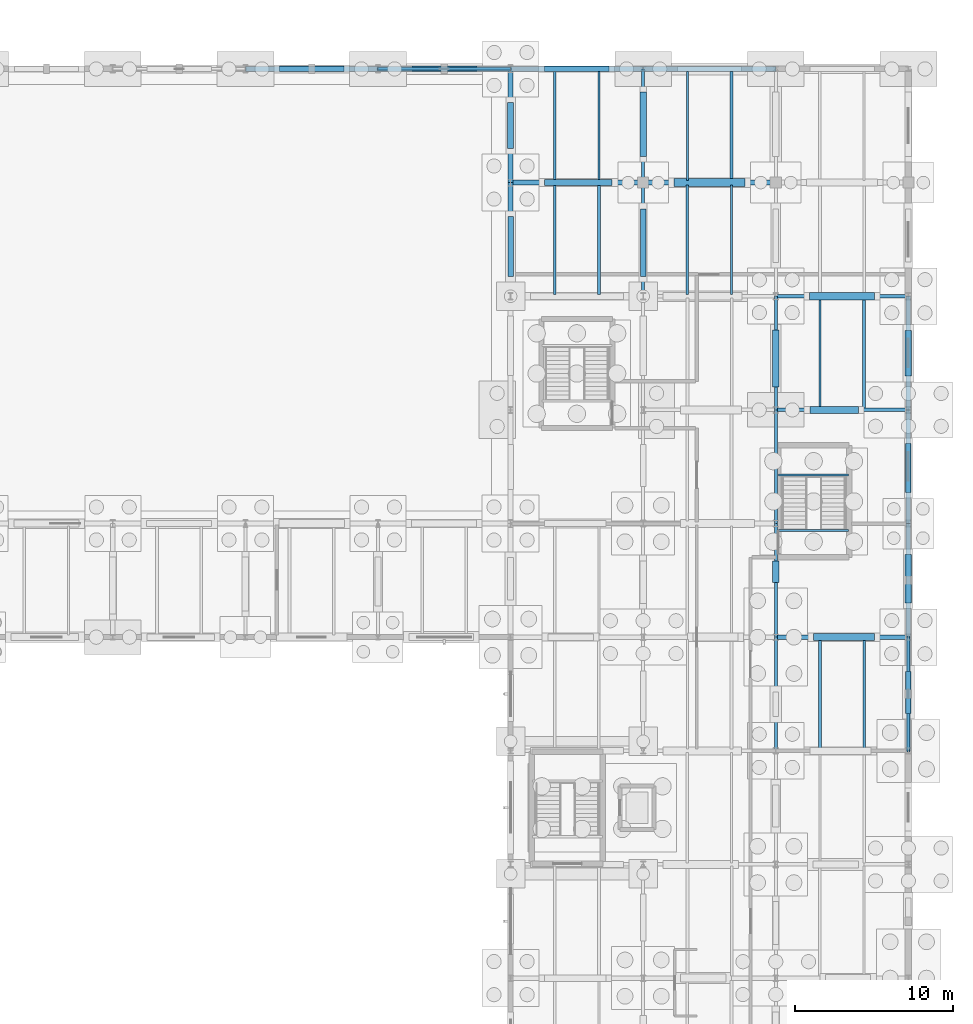
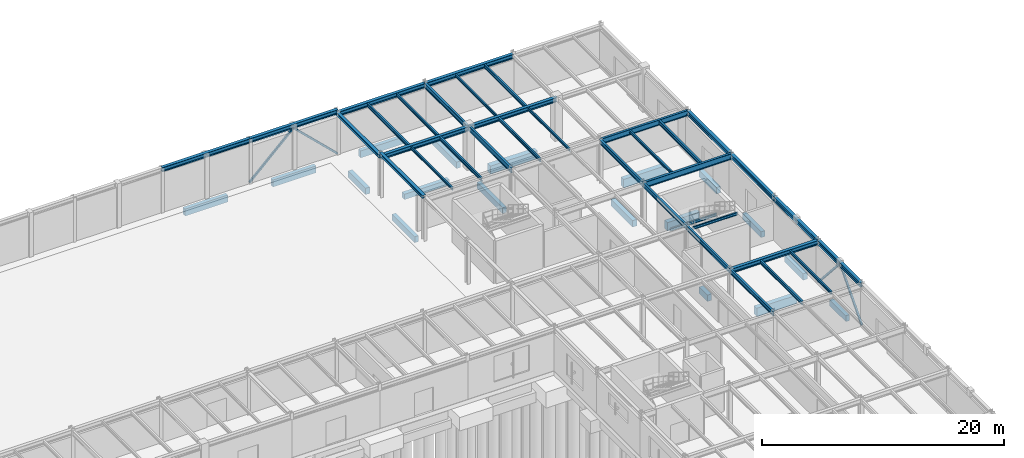
# One storey, part 47 of 93: 53 beams, 4 members.
"""IFC4 building model written with IfcOpenShell, lengths in metres."""

from ifc_helpers import new_model, si_unit, derived_unit, direction, frame, origin, origin_2d, place, context, subcontext, project, spatial, rectangle, hollow_rectangle, i_section, extrude, material, material_profile, profile_set, type_object, element, save


model = new_model("IFC4")

# Units and contexts
model_context = context("Model", 3, precision=1e-05, world=origin(), true_north=direction((0.0, 1.0)))
body_context = subcontext(model_context, "Body", "Model", "MODEL_VIEW")
ifc_project = project(units=[si_unit("LENGTHUNIT", "METRE"), si_unit("AREAUNIT", "SQUARE_METRE"), si_unit("VOLUMEUNIT", "CUBIC_METRE"), si_unit("PLANEANGLEUNIT", "RADIAN"), si_unit("MASSUNIT", "GRAM", prefix="KILO"), derived_unit("THERMALTRANSMITTANCEUNIT", [(si_unit("MASSUNIT", "GRAM", prefix="KILO"), 1), (si_unit("TIMEUNIT", "SECOND"), -3), (si_unit("THERMODYNAMICTEMPERATUREUNIT", "KELVIN"), -1)])], contexts=[model_context])

# Site, building, storey
site_placement = place(None, origin())
site = spatial("IfcSite", under=ifc_project, at=site_placement, CompositionType="ELEMENT")
building_placement = place(site_placement, origin())
building = spatial("IfcBuilding", under=site, at=building_placement, Name="Kharveza Railside Sports Centre", CompositionType="ELEMENT")
storey_placement = place(building_placement, origin())
storey = spatial("IfcBuildingStorey", under=building, at=storey_placement, Name="L00", CompositionType="ELEMENT", Elevation=0.0)

# Beams
ifc_material_1 = material(Name="Steel S355J2", Category="steel")
ifc_material_profile_1 = material_profile(ifc_material_1, i_section(OverallWidth=0.219970703125, OverallDepth=0.60009765625, WebThickness=0.011962890625, FlangeThickness=0.01904296875, FilletRadius=0.02392578125, at=origin_2d()), Name="IPE 600")
ifc_profile_set_1 = profile_set([ifc_material_profile_1], Name="Steel S355J2")
beam_type_1 = type_object("IfcBeamType", Name="BM-G01", PredefinedType="T_BEAM", material=ifc_profile_set_1)
beam_1_placement = place(storey_placement, frame((159.60009765625, 86.39990234375, 4.02001953125), z_axis=(1.0, 0.0, 0.0), x_axis=(0.0, 1.0, 0.0)))
element("IfcBeam", 1, at=beam_1_placement, inside=storey, type_object=beam_type_1, Name="BM-EW-L00-B01-X1596-Y864", PredefinedType="T_BEAM", context=body_context, shape_type="SweptSolid", body=[
    extrude(i_section(OverallWidth=0.219970703125, OverallDepth=0.60009765625, WebThickness=0.011962890625, FlangeThickness=0.01904296875, FilletRadius=0.02392578125, at=origin_2d()), origin(), (0.0, 0.0, 1.0), 8.39990234375),
])
ifc_material_profile_2 = material_profile(ifc_material_1, i_section(OverallWidth=0.2099609375, OverallDepth=0.550048828125, WebThickness=0.010986328125, FlangeThickness=0.01708984375, FilletRadius=0.02392578125, at=origin_2d()), Name="IPE 550")
ifc_profile_set_2 = profile_set([ifc_material_profile_2], Name="Steel S355J2")
beam_type_2 = type_object("IfcBeamType", Name="BM-G02", PredefinedType="T_BEAM", material=ifc_profile_set_2)
beam_2_placement = place(storey_placement, frame((159.60009765625, 93.60009765625, 4.044921875), z_axis=(1.0, 0.0, 0.0), x_axis=(0.0, 1.0, 0.0)))
element("IfcBeam", 2, at=beam_2_placement, inside=storey, type_object=beam_type_2, Name="BM-EW-L00-B02-X1596-Y936", PredefinedType="T_BEAM", context=body_context, shape_type="SweptSolid", body=[
    extrude(i_section(OverallWidth=0.2099609375, OverallDepth=0.550048828125, WebThickness=0.010986328125, FlangeThickness=0.01708984375, FilletRadius=0.02392578125, at=origin_2d()), origin(), (0.0, 0.0, 1.0), 8.39990234375),
])
ifc_material_profile_3 = material_profile(ifc_material_1, i_section(OverallWidth=0.199951171875, OverallDepth=0.5, WebThickness=0.01025390625, FlangeThickness=0.01611328125, FilletRadius=0.02099609375, at=origin_2d()), Name="IPE 500")
ifc_profile_set_3 = profile_set([ifc_material_profile_3], Name="Steel S355J2")
beam_type_3 = type_object("IfcBeamType", Name="BM-G03", PredefinedType="T_BEAM", material=ifc_profile_set_3)
for number, where, z_axis, x_axis, name in (
    (3, (151.199951171875, 93.60009765625, 4.070068359375), (0.0, 1.0, 0.0), (-1.0, 0.0, 0.0), "BM-NS-L00-B03-X1512-Y936"),
    (4, (151.199951171875, 100.800048828125, 3.969970703125), (0.0, 1.0, 0.0), (-1.0, 0.0, 0.0), "BM-NS-L00-B03-X1512-Y1008"),
):
    element("IfcBeam", number, at=place(storey_placement, frame(where, z_axis=z_axis, x_axis=x_axis)), inside=storey, type_object=beam_type_3, Name=name, PredefinedType="T_BEAM", context=body_context, shape_type="SweptSolid", body=[
        extrude(i_section(OverallWidth=0.199951171875, OverallDepth=0.5, WebThickness=0.01025390625, FlangeThickness=0.01611328125, FilletRadius=0.02099609375, at=origin_2d()), origin(), (0.0, 0.0, 1.0), 7.199951171875),
    ])
ifc_material_profile_4 = material_profile(ifc_material_1, i_section(OverallWidth=0.18994140625, OverallDepth=0.449951171875, WebThickness=0.009521484375, FlangeThickness=0.0146484375, FilletRadius=0.02099609375, at=origin_2d()), Name="IPE 450")
ifc_profile_set_4 = profile_set([ifc_material_profile_4], Name="Steel S355J2")
beam_type_4 = type_object("IfcBeamType", Name="BM-G04", PredefinedType="T_BEAM", material=ifc_profile_set_4)
for number, where, z_axis, x_axis, name in (
    (5, (159.60009765625, 64.800048828125, 4.094970703125), (0.0, 1.0, 0.0), (-1.0, 0.0, 0.0), "BM-NS-L00-B04-X1596-Y648"),
    (6, (159.60009765625, 72.0, 4.094970703125), (0.0, 1.0, 0.0), (-1.0, 0.0, 0.0), "BM-NS-L00-B04-X1596-Y720"),
    (7, (159.60009765625, 79.199951171875, 4.094970703125), (0.0, 1.0, 0.0), (-1.0, 0.0, 0.0), "BM-NS-L00-B04-X1596-Y792"),
):
    element("IfcBeam", number, at=place(storey_placement, frame(where, z_axis=z_axis, x_axis=x_axis)), inside=storey, type_object=beam_type_4, Name=name, PredefinedType="T_BEAM", context=body_context, shape_type="SweptSolid", body=[
        extrude(i_section(OverallWidth=0.18994140625, OverallDepth=0.449951171875, WebThickness=0.009521484375, FlangeThickness=0.0146484375, FilletRadius=0.02099609375, at=origin_2d()), origin(), (0.0, 0.0, 1.0), 7.199951171875),
    ])
beam_3_placement = place(storey_placement, frame((159.60009765625, 86.39990234375, 4.094970703125), z_axis=(0.0, 1.0, 0.0), x_axis=(-1.0, 0.0, 0.0)))
element("IfcBeam", 8, at=beam_3_placement, inside=storey, type_object=beam_type_4, Name="BM-NS-L00-B04-X1596-Y864", PredefinedType="T_BEAM", context=body_context, shape_type="SweptSolid", body=[
    extrude(i_section(OverallWidth=0.18994140625, OverallDepth=0.449951171875, WebThickness=0.009521484375, FlangeThickness=0.0146484375, FilletRadius=0.02099609375, at=origin_2d()), origin(), (0.0, 0.0, 1.0), 7.2001953125),
])
ifc_material_profile_5 = material_profile(ifc_material_1, i_section(OverallWidth=0.300048828125, OverallDepth=0.449951171875, WebThickness=0.013916015625, FlangeThickness=0.02587890625, FilletRadius=0.027099609375, at=origin_2d()), Name="HEB 450")
ifc_profile_set_5 = profile_set([ifc_material_profile_5], Name="Steel S355J2")
beam_type_5 = type_object("IfcBeamType", Name="BM-G06", PredefinedType="T_BEAM", material=ifc_profile_set_5)
beam_4_placement = place(storey_placement, frame((142.800048828125, 100.800048828125, 3.9951171875), z_axis=(1.0, 0.0, 0.0), x_axis=(0.0, 1.0, 0.0)))
element("IfcBeam", 9, at=beam_4_placement, inside=storey, type_object=beam_type_5, Name="BM-EW-L00-B06-X1428-Y1008", PredefinedType="T_BEAM", context=body_context, shape_type="SweptSolid", body=[
    extrude(i_section(OverallWidth=0.300048828125, OverallDepth=0.449951171875, WebThickness=0.013916015625, FlangeThickness=0.02587890625, FilletRadius=0.027099609375, at=origin_2d()), origin(), (0.0, 0.0, 1.0), 8.39990234375),
])
beam_5_placement = place(storey_placement, frame((151.199951171875, 100.800048828125, 3.9951171875), z_axis=(1.0, 0.0, 0.0), x_axis=(0.0, 1.0, 0.0)))
element("IfcBeam", 10, at=beam_5_placement, inside=storey, type_object=beam_type_5, Name="BM-EW-L00-B06-X1512-Y1008", PredefinedType="T_BEAM", context=body_context, shape_type="SweptSolid", body=[
    extrude(i_section(OverallWidth=0.300048828125, OverallDepth=0.449951171875, WebThickness=0.013916015625, FlangeThickness=0.02587890625, FilletRadius=0.027099609375, at=origin_2d()), origin(), (0.0, 0.0, 1.0), 8.400146484375),
])
beam_6_placement = place(storey_placement, frame((159.60009765625, 72.0, 4.094970703125), z_axis=(1.0, 0.0, 0.0), x_axis=(0.0, 1.0, 0.0)))
element("IfcBeam", 11, at=beam_6_placement, inside=storey, type_object=beam_type_5, Name="BM-EW-L00-B06-X1596-Y720", PredefinedType="T_BEAM", context=body_context, shape_type="SweptSolid", body=[
    extrude(i_section(OverallWidth=0.300048828125, OverallDepth=0.449951171875, WebThickness=0.013916015625, FlangeThickness=0.02587890625, FilletRadius=0.027099609375, at=origin_2d()), origin(), (0.0, 0.0, 1.0), 8.39990234375),
])
ifc_material_2 = material(Name="Concrete C35/45", Category="concrete")
ifc_material_profile_6 = material_profile(ifc_material_2, rectangle(XDim=0.5, YDim=0.800048828125, at=origin_2d()), Name="RCB 500x800")
ifc_profile_set_6 = profile_set([ifc_material_profile_6], Name="Concrete C35/45")
beam_type_6 = type_object("IfcBeamType", Name="BM-RC01", PredefinedType="T_BEAM", material=ifc_profile_set_6)
beam_7_placement = place(storey_placement, frame((153.159912109375, 100.800048828125, -0.820068359375), z_axis=(1.0, 0.0, 0.0), x_axis=(0.0, 1.0, 0.0)))
element("IfcBeam", 12, at=beam_7_placement, inside=storey, type_object=beam_type_6, Name="BM-PLINTH-EW-B25-X1512-Y1008-1", PredefinedType="T_BEAM", context=body_context, shape_type="SweptSolid", body=[
    extrude(rectangle(XDim=0.5, YDim=0.800048828125, at=origin_2d()), origin(), (0.0, 0.0, 1.0), 4.47998046875),
])
ifc_material_profile_7 = material_profile(ifc_material_2, rectangle(XDim=0.39990234375, YDim=0.64990234375, at=origin_2d()), Name="RCB 400x650")
ifc_profile_set_7 = profile_set([ifc_material_profile_7], Name="Concrete C35/45")
beam_type_7 = type_object("IfcBeamType", Name="BM-RC02", PredefinedType="BEAM", material=ifc_profile_set_7)
beam_8_placement = place(storey_placement, frame((142.800048828125, 102.9599609375, -0.7451171875), z_axis=(0.0, 1.0, 0.0), x_axis=(-1.0, 0.0, 0.0)))
element("IfcBeam", 13, at=beam_8_placement, inside=storey, type_object=beam_type_7, Name="BM-PLINTH-NS-B26-X1428-Y1008-1", PredefinedType="BEAM", context=body_context, shape_type="SweptSolid", body=[
    extrude(rectangle(XDim=0.39990234375, YDim=0.64990234375, at=origin_2d()), origin(), (0.0, 0.0, 1.0), 2.905029296875),
])
beam_9_placement = place(storey_placement, frame((151.199951171875, 102.4599609375, -0.7451171875), z_axis=(0.0, 1.0, 0.0), x_axis=(-1.0, 0.0, 0.0)))
element("IfcBeam", 14, at=beam_9_placement, inside=storey, type_object=beam_type_7, Name="BM-PLINTH-NS-B26-X1512-Y1008-1", PredefinedType="BEAM", context=body_context, shape_type="SweptSolid", body=[
    extrude(rectangle(XDim=0.39990234375, YDim=0.64990234375, at=origin_2d()), origin(), (0.0, 0.0, 1.0), 4.080078125),
])
beam_10_placement = place(storey_placement, frame((159.60009765625, 75.4599609375, -0.7451171875), z_axis=(0.0, 1.0, 0.0), x_axis=(-1.0, 0.0, 0.0)))
element("IfcBeam", 15, at=beam_10_placement, inside=storey, type_object=beam_type_7, Name="BM-PLINTH-NS-B26-X1596-Y720-1", PredefinedType="BEAM", context=body_context, shape_type="SweptSolid", body=[
    extrude(rectangle(XDim=0.39990234375, YDim=0.64990234375, at=origin_2d()), origin(), (0.0, 0.0, 1.0), 1.380126953125),
])
beam_11_placement = place(storey_placement, frame((159.60009765625, 87.860107421875, -0.7451171875), z_axis=(0.0, 1.0, 0.0), x_axis=(-1.0, 0.0, 0.0)))
element("IfcBeam", 16, at=beam_11_placement, inside=storey, type_object=beam_type_7, Name="BM-PLINTH-NS-B26-X1596-Y864-1", PredefinedType="BEAM", context=body_context, shape_type="SweptSolid", body=[
    extrude(rectangle(XDim=0.39990234375, YDim=0.64990234375, at=origin_2d()), origin(), (0.0, 0.0, 1.0), 3.60498046875),
])
beam_12_placement = place(storey_placement, frame((168.0, 74.159912109375, -0.7451171875), z_axis=(0.0, 1.0, 0.0), x_axis=(-1.0, 0.0, 0.0)))
element("IfcBeam", 17, at=beam_12_placement, inside=storey, type_object=beam_type_7, Name="BM-PLINTH-NS-B26-X1680-Y720-1", PredefinedType="BEAM", context=body_context, shape_type="SweptSolid", body=[
    extrude(rectangle(XDim=0.39990234375, YDim=0.64990234375, at=origin_2d()), origin(), (0.0, 0.0, 1.0), 3.080078125),
])
beam_13_placement = place(storey_placement, frame((168.0, 88.534912109375, -0.7451171875), z_axis=(0.0, 1.0, 0.0), x_axis=(-1.0, 0.0, 0.0)))
element("IfcBeam", 18, at=beam_13_placement, inside=storey, type_object=beam_type_7, Name="BM-PLINTH-NS-B26-X1680-Y864-1", PredefinedType="BEAM", context=body_context, shape_type="SweptSolid", body=[
    extrude(rectangle(XDim=0.39990234375, YDim=0.64990234375, at=origin_2d()), origin(), (0.0, 0.0, 1.0), 2.905029296875),
])
ifc_material_profile_8 = material_profile(ifc_material_2, rectangle(XDim=0.35009765625, YDim=0.699951171875, at=origin_2d()), Name="RCB 350x700")
ifc_profile_set_8 = profile_set([ifc_material_profile_8], Name="Concrete C35/45")
beam_type_8 = type_object("IfcBeamType", Name="BM-RC03", PredefinedType="SPANDREL", material=ifc_profile_set_8)
beam_14_placement = place(storey_placement, frame((128.159912109375, 108.0, -0.77001953125), z_axis=(1.0, 0.0, 0.0), x_axis=(0.0, 1.0, 0.0)))
element("IfcBeam", 19, at=beam_14_placement, inside=storey, type_object=beam_type_8, Name="BM-PLINTH-EW-B27-X1260-Y1080-1", PredefinedType="SPANDREL", context=body_context, shape_type="SweptSolid", body=[
    extrude(rectangle(XDim=0.35009765625, YDim=0.699951171875, at=origin_2d()), origin(), (0.0, 0.0, 1.0), 4.080078125),
])
for number, where, z_axis, x_axis, name in (
    (20, (136.56005859375, 108.0, -0.77001953125), (1.0, 0.0, 0.0), (0.0, 1.0, 0.0), "BM-PLINTH-EW-B27-X1344-Y1080-1"),
    (21, (144.93505859375, 108.0, -0.77001953125), (1.0, 0.0, 0.0), (0.0, 1.0, 0.0), "BM-PLINTH-EW-B27-X1428-Y1080-1"),
):
    element("IfcBeam", number, at=place(storey_placement, frame(where, z_axis=z_axis, x_axis=x_axis)), inside=storey, type_object=beam_type_8, Name=name, PredefinedType="SPANDREL", context=body_context, shape_type="SweptSolid", body=[
        extrude(rectangle(XDim=0.35009765625, YDim=0.699951171875, at=origin_2d()), origin(), (0.0, 0.0, 1.0), 4.10498046875),
    ])
ifc_material_profile_9 = material_profile(ifc_material_2, rectangle(XDim=0.449951171875, YDim=0.85009765625, at=origin_2d()), Name="RCB 450x850")
ifc_profile_set_9 = profile_set([ifc_material_profile_9], Name="Concrete C35/45")
beam_type_9 = type_object("IfcBeamType", Name="BM-RC05", PredefinedType="T_BEAM", material=ifc_profile_set_9)
beam_15_placement = place(storey_placement, frame((161.985107421875, 72.0, -0.844970703125), z_axis=(1.0, 0.0, 0.0), x_axis=(0.0, 1.0, 0.0)))
element("IfcBeam", 22, at=beam_15_placement, inside=storey, type_object=beam_type_9, Name="BM-PLINTH-EW-B29-X1596-Y720-1", PredefinedType="T_BEAM", context=body_context, shape_type="SweptSolid", body=[
    extrude(rectangle(XDim=0.449951171875, YDim=0.85009765625, at=origin_2d()), origin(), (0.0, 0.0, 1.0), 3.85498046875),
])
beam_16_placement = place(storey_placement, frame((161.760009765625, 86.39990234375, -0.844970703125), z_axis=(1.0, 0.0, 0.0), x_axis=(0.0, 1.0, 0.0)))
element("IfcBeam", 23, at=beam_16_placement, inside=storey, type_object=beam_type_9, Name="BM-PLINTH-EW-B29-X1596-Y864-1", PredefinedType="T_BEAM", context=body_context, shape_type="SweptSolid", body=[
    extrude(rectangle(XDim=0.449951171875, YDim=0.85009765625, at=origin_2d()), origin(), (0.0, 0.0, 1.0), 3.080078125),
])
beam_17_placement = place(storey_placement, frame((161.735107421875, 93.60009765625, -0.844970703125), z_axis=(1.0, 0.0, 0.0), x_axis=(0.0, 1.0, 0.0)))
element("IfcBeam", 24, at=beam_17_placement, inside=storey, type_object=beam_type_9, Name="BM-PLINTH-EW-B29-X1596-Y936-1", PredefinedType="T_BEAM", context=body_context, shape_type="SweptSolid", body=[
    extrude(rectangle(XDim=0.449951171875, YDim=0.85009765625, at=origin_2d()), origin(), (0.0, 0.0, 1.0), 4.10498046875),
])
ifc_material_profile_10 = material_profile(ifc_material_2, rectangle(XDim=0.35009765625, YDim=0.60009765625, at=origin_2d()), Name="RCB 350x600")
ifc_profile_set_10 = profile_set([ifc_material_profile_10], Name="Concrete C35/45")
beam_type_10 = type_object("IfcBeamType", Name="BM-RC06", PredefinedType="BEAM", material=ifc_profile_set_10)
beam_18_placement = place(storey_placement, frame((142.800048828125, 94.860107421875, -0.719970703125), z_axis=(0.0, 1.0, 0.0), x_axis=(-1.0, 0.0, 0.0)))
element("IfcBeam", 25, at=beam_18_placement, inside=storey, type_object=beam_type_10, Name="BM-PLINTH-NS-B30-X1428-Y936-1", PredefinedType="BEAM", context=body_context, shape_type="SweptSolid", body=[
    extrude(rectangle(XDim=0.35009765625, YDim=0.60009765625, at=origin_2d()), origin(), (0.0, 0.0, 1.0), 3.77978515625),
])
beam_19_placement = place(storey_placement, frame((151.199951171875, 94.860107421875, -0.719970703125), z_axis=(0.0, 1.0, 0.0), x_axis=(-1.0, 0.0, 0.0)))
element("IfcBeam", 26, at=beam_19_placement, inside=storey, type_object=beam_type_10, Name="BM-PLINTH-NS-B30-X1512-Y936-1", PredefinedType="BEAM", context=body_context, shape_type="SweptSolid", body=[
    extrude(rectangle(XDim=0.35009765625, YDim=0.60009765625, at=origin_2d()), origin(), (0.0, 0.0, 1.0), 4.27978515625),
])
beam_20_placement = place(storey_placement, frame((168.0, 67.159912109375, -0.719970703125), z_axis=(0.0, 1.0, 0.0), x_axis=(-1.0, 0.0, 0.0)))
element("IfcBeam", 27, at=beam_20_placement, inside=storey, type_object=beam_type_10, Name="BM-PLINTH-NS-B30-X1680-Y648-1", PredefinedType="BEAM", context=body_context, shape_type="SweptSolid", body=[
    extrude(rectangle(XDim=0.35009765625, YDim=0.60009765625, at=origin_2d()), origin(), (0.0, 0.0, 1.0), 2.68017578125),
])
beam_21_placement = place(storey_placement, frame((168.0, 81.159912109375, -0.719970703125), z_axis=(0.0, 1.0, 0.0), x_axis=(-1.0, 0.0, 0.0)))
element("IfcBeam", 28, at=beam_21_placement, inside=storey, type_object=beam_type_10, Name="BM-PLINTH-NS-B30-X1680-Y792-1", PredefinedType="BEAM", context=body_context, shape_type="SweptSolid", body=[
    extrude(rectangle(XDim=0.35009765625, YDim=0.60009765625, at=origin_2d()), origin(), (0.0, 0.0, 1.0), 3.10498046875),
])
ifc_material_profile_11 = material_profile(ifc_material_2, rectangle(XDim=0.39990234375, YDim=0.550048828125, at=origin_2d()), Name="RCB 400x550")
ifc_profile_set_11 = profile_set([ifc_material_profile_11], Name="Concrete C35/45")
beam_type_11 = type_object("IfcBeamType", Name="BM-RC07", PredefinedType="LINTEL", material=ifc_profile_set_11)
beam_22_placement = place(storey_placement, frame((144.9599609375, 100.800048828125, -0.695068359375), z_axis=(1.0, 0.0, 0.0), x_axis=(0.0, 1.0, 0.0)))
element("IfcBeam", 29, at=beam_22_placement, inside=storey, type_object=beam_type_11, Name="BM-PLINTH-EW-B31-X1428-Y1008-1", PredefinedType="LINTEL", context=body_context, shape_type="SweptSolid", body=[
    extrude(rectangle(XDim=0.39990234375, YDim=0.550048828125, at=origin_2d()), origin(), (0.0, 0.0, 1.0), 4.280029296875),
])
ifc_material_profile_12 = material_profile(ifc_material_1, i_section(OverallWidth=0.179931640625, OverallDepth=0.39990234375, WebThickness=0.008544921875, FlangeThickness=0.013427734375, FilletRadius=0.02099609375, at=origin_2d()), Name="IPE 400")
ifc_profile_set_12 = profile_set([ifc_material_profile_12], Name="Steel S355J2")
beam_type_12 = type_object("IfcBeamType", Name="BM-S01", PredefinedType="BEAM", material=ifc_profile_set_12)
beam_23_placement = place(storey_placement, frame((165.199951171875, 86.507080078125, 4.1201171875), z_axis=(0.0, 1.0, 0.0), x_axis=(-1.0, 0.0, 0.0)))
element("IfcBeam", 30, at=beam_23_placement, inside=storey, type_object=beam_type_12, Name="BM-SEC-L00-B09-X1652-Y864", PredefinedType="BEAM", context=body_context, shape_type="SweptSolid", body=[
    extrude(i_section(OverallWidth=0.179931640625, OverallDepth=0.39990234375, WebThickness=0.008544921875, FlangeThickness=0.013427734375, FilletRadius=0.02099609375, at=origin_2d()), origin(), (0.0, 0.0, 1.0), 6.990966796875),
])
ifc_material_profile_13 = material_profile(ifc_material_1, i_section(OverallWidth=0.169921875, OverallDepth=0.360107421875, WebThickness=0.008056640625, FlangeThickness=0.0126953125, FilletRadius=0.01806640625, at=origin_2d()), Name="IPE 360")
ifc_profile_set_13 = profile_set([ifc_material_profile_13], Name="Steel S355J2")
beam_type_13 = type_object("IfcBeamType", Name="BM-S02", PredefinedType="BEAM", material=ifc_profile_set_13)
beam_24_placement = place(storey_placement, frame((148.39990234375, 93.701904296875, 4.0400390625), z_axis=(0.0, 1.0, 0.0), x_axis=(-1.0, 0.0, 0.0)))
element("IfcBeam", 31, at=beam_24_placement, inside=storey, type_object=beam_type_13, Name="BM-SEC-L00-B10-X1484-Y936", PredefinedType="BEAM", context=body_context, shape_type="SweptSolid", body=[
    extrude(i_section(OverallWidth=0.169921875, OverallDepth=0.360107421875, WebThickness=0.008056640625, FlangeThickness=0.0126953125, FilletRadius=0.01806640625, at=origin_2d()), origin(), (0.0, 0.0, 1.0), 6.951171875),
])
for number, where, z_axis, x_axis, name in (
    (32, (145.60009765625, 100.947021484375, 4.0400390625), (0.0, 1.0, 0.0), (-1.0, 0.0, 0.0), "BM-SEC-L00-B10-X1456-Y1008"),
    (33, (156.800048828125, 100.947021484375, 4.0400390625), (0.0, 1.0, 0.0), (-1.0, 0.0, 0.0), "BM-SEC-L00-B10-X1568-Y1008"),
):
    element("IfcBeam", number, at=place(storey_placement, frame(where, z_axis=z_axis, x_axis=x_axis)), inside=storey, type_object=beam_type_13, Name=name, PredefinedType="BEAM", context=body_context, shape_type="SweptSolid", body=[
        extrude(i_section(OverallWidth=0.169921875, OverallDepth=0.360107421875, WebThickness=0.008056640625, FlangeThickness=0.0126953125, FilletRadius=0.01806640625, at=origin_2d()), origin(), (0.0, 0.0, 1.0), 6.906005859375),
    ])
beam_25_placement = place(storey_placement, frame((162.39990234375, 64.902099609375, 4.139892578125), z_axis=(0.0, 1.0, 0.0), x_axis=(-1.0, 0.0, 0.0)))
element("IfcBeam", 34, at=beam_25_placement, inside=storey, type_object=beam_type_13, Name="BM-SEC-L00-B10-X1624-Y648", PredefinedType="BEAM", context=body_context, shape_type="SweptSolid", body=[
    extrude(i_section(OverallWidth=0.169921875, OverallDepth=0.360107421875, WebThickness=0.008056640625, FlangeThickness=0.0126953125, FilletRadius=0.01806640625, at=origin_2d()), origin(), (0.0, 0.0, 1.0), 6.950927734375),
])
ifc_material_profile_14 = material_profile(ifc_material_1, i_section(OverallWidth=0.159912109375, OverallDepth=0.330078125, WebThickness=0.007568359375, FlangeThickness=0.011474609375, FilletRadius=0.01806640625, at=origin_2d()), Name="IPE 330")
ifc_profile_set_14 = profile_set([ifc_material_profile_14], Name="Steel S355J2")
beam_type_14 = type_object("IfcBeamType", Name="BM-S03", PredefinedType="BEAM", material=ifc_profile_set_14)
beam_26_placement = place(storey_placement, frame((154.0, 93.701904296875, 4.054931640625), z_axis=(0.0, 1.0, 0.0), x_axis=(-1.0, 0.0, 0.0)))
element("IfcBeam", 35, at=beam_26_placement, inside=storey, type_object=beam_type_14, Name="BM-SEC-L00-B11-X1540-Y936", PredefinedType="BEAM", context=body_context, shape_type="SweptSolid", body=[
    extrude(i_section(OverallWidth=0.159912109375, OverallDepth=0.330078125, WebThickness=0.007568359375, FlangeThickness=0.011474609375, FilletRadius=0.01806640625, at=origin_2d()), origin(), (0.0, 0.0, 1.0), 6.951171875),
])
ifc_material_profile_15 = material_profile(ifc_material_1, i_section(OverallWidth=0.14990234375, OverallDepth=0.300048828125, WebThickness=0.007080078125, FlangeThickness=0.0107421875, FilletRadius=0.014892578125, at=origin_2d()), Name="IPE 300")
ifc_profile_set_15 = profile_set([ifc_material_profile_15], Name="Steel S355J2")
beam_type_15 = type_object("IfcBeamType", Name="BM-S04", PredefinedType="BEAM", material=ifc_profile_set_15)
beam_27_placement = place(storey_placement, frame((148.39990234375, 100.947021484375, 4.070068359375), z_axis=(0.0, 1.0, 0.0), x_axis=(-1.0, 0.0, 0.0)))
element("IfcBeam", 36, at=beam_27_placement, inside=storey, type_object=beam_type_15, Name="BM-SEC-L00-B12-X1484-Y1008", PredefinedType="BEAM", context=body_context, shape_type="SweptSolid", body=[
    extrude(i_section(OverallWidth=0.14990234375, OverallDepth=0.300048828125, WebThickness=0.007080078125, FlangeThickness=0.0107421875, FilletRadius=0.014892578125, at=origin_2d()), origin(), (0.0, 0.0, 1.0), 6.906005859375),
])
beam_28_placement = place(storey_placement, frame((165.199951171875, 64.902099609375, 4.169921875), z_axis=(0.0, 1.0, 0.0), x_axis=(-1.0, 0.0, 0.0)))
element("IfcBeam", 37, at=beam_28_placement, inside=storey, type_object=beam_type_15, Name="BM-SEC-L00-B12-X1652-Y648", PredefinedType="BEAM", context=body_context, shape_type="SweptSolid", body=[
    extrude(i_section(OverallWidth=0.14990234375, OverallDepth=0.300048828125, WebThickness=0.007080078125, FlangeThickness=0.0107421875, FilletRadius=0.014892578125, at=origin_2d()), origin(), (0.0, 0.0, 1.0), 6.950927734375),
])
beam_29_placement = place(storey_placement, frame((162.39990234375, 86.507080078125, 4.169921875), z_axis=(0.0, 1.0, 0.0), x_axis=(-1.0, 0.0, 0.0)))
element("IfcBeam", 38, at=beam_29_placement, inside=storey, type_object=beam_type_15, Name="BM-SEC-L00-B12-X1624-Y864", PredefinedType="BEAM", context=body_context, shape_type="SweptSolid", body=[
    extrude(i_section(OverallWidth=0.14990234375, OverallDepth=0.300048828125, WebThickness=0.007080078125, FlangeThickness=0.0107421875, FilletRadius=0.014892578125, at=origin_2d()), origin(), (0.0, 0.0, 1.0), 6.990966796875),
])
ifc_material_profile_16 = material_profile(ifc_material_1, i_section(OverallWidth=0.135009765625, OverallDepth=0.27001953125, WebThickness=0.006591796875, FlangeThickness=0.01025390625, FilletRadius=0.014892578125, at=origin_2d()), Name="IPE 270")
ifc_profile_set_16 = profile_set([ifc_material_profile_16], Name="Steel S355J2")
beam_type_16 = type_object("IfcBeamType", Name="BM-S05", PredefinedType="BEAM", material=ifc_profile_set_16)
for number, where, z_axis, x_axis, name in (
    (39, (145.60009765625, 93.701904296875, 4.0849609375), (0.0, 1.0, 0.0), (-1.0, 0.0, 0.0), "BM-SEC-L00-B13-X1456-Y936"),
    (40, (156.800048828125, 93.701904296875, 4.0849609375), (0.0, 1.0, 0.0), (-1.0, 0.0, 0.0), "BM-SEC-L00-B13-X1568-Y936"),
):
    element("IfcBeam", number, at=place(storey_placement, frame(where, z_axis=z_axis, x_axis=x_axis)), inside=storey, type_object=beam_type_16, Name=name, PredefinedType="BEAM", context=body_context, shape_type="SweptSolid", body=[
        extrude(i_section(OverallWidth=0.135009765625, OverallDepth=0.27001953125, WebThickness=0.006591796875, FlangeThickness=0.01025390625, FilletRadius=0.014892578125, at=origin_2d()), origin(), (0.0, 0.0, 1.0), 6.951171875),
    ])
beam_30_placement = place(storey_placement, frame((154.0, 100.947021484375, 4.0849609375), z_axis=(0.0, 1.0, 0.0), x_axis=(-1.0, 0.0, 0.0)))
element("IfcBeam", 41, at=beam_30_placement, inside=storey, type_object=beam_type_16, Name="BM-SEC-L00-B13-X1540-Y1008", PredefinedType="BEAM", context=body_context, shape_type="SweptSolid", body=[
    extrude(i_section(OverallWidth=0.135009765625, OverallDepth=0.27001953125, WebThickness=0.006591796875, FlangeThickness=0.01025390625, FilletRadius=0.014892578125, at=origin_2d()), origin(), (0.0, 0.0, 1.0), 6.906005859375),
])
for number, where, z_axis, x_axis, name in (
    (42, (159.780029296875, 82.280029296875, 1.929931640625), (1.0, 0.0, 0.0), (0.0, 1.0, 0.0), "BM-HLND-ST4-L00"),
    (43, (159.780029296875, 78.760009765625, 4.179931640625), (1.0, 0.0, 0.0), (0.0, 1.0, 0.0), "BM-STLND-ST4-L01"),
):
    element("IfcBeam", number, at=place(storey_placement, frame(where, z_axis=z_axis, x_axis=x_axis)), inside=storey, type_object=beam_type_16, Name=name, PredefinedType="BEAM", context=body_context, shape_type="SweptSolid", body=[
        extrude(i_section(OverallWidth=0.135009765625, OverallDepth=0.27001953125, WebThickness=0.006591796875, FlangeThickness=0.01025390625, FilletRadius=0.014892578125, at=origin_2d()), origin(), (0.0, 0.0, 1.0), 4.43994140625),
    ])
ifc_material_profile_17 = material_profile(ifc_material_1, i_section(OverallWidth=0.300048828125, OverallDepth=0.31005859375, WebThickness=0.009033203125, FlangeThickness=0.015380859375, FilletRadius=0.027099609375, at=origin_2d()), Name="HEA 320")
ifc_profile_set_17 = profile_set([ifc_material_profile_17], Name="Steel S355J2")
beam_type_17 = type_object("IfcBeamType", Name="BM-S06", PredefinedType="BEAM", material=ifc_profile_set_17)
for number, where, z_axis, x_axis, name in (
    (44, (142.800048828125, 93.60009765625, 4.344970703125), (0.0, 1.0, 0.0), (-1.0, 0.0, 0.0), "BM-NS-L00-B14-X1428-Y936"),
    (45, (142.800048828125, 100.800048828125, 4.06494140625), (0.0, 1.0, 0.0), (-1.0, 0.0, 0.0), "BM-NS-L00-B14-X1428-Y1008"),
):
    element("IfcBeam", number, at=place(storey_placement, frame(where, z_axis=z_axis, x_axis=x_axis)), inside=storey, type_object=beam_type_17, Name=name, PredefinedType="BEAM", context=body_context, shape_type="SweptSolid", body=[
        extrude(i_section(OverallWidth=0.300048828125, OverallDepth=0.31005859375, WebThickness=0.009033203125, FlangeThickness=0.015380859375, FilletRadius=0.027099609375, at=origin_2d()), origin(), (0.0, 0.0, 1.0), 7.199951171875),
    ])
ifc_material_profile_18 = material_profile(ifc_material_1, i_section(OverallWidth=0.300048828125, OverallDepth=0.43994140625, WebThickness=0.011474609375, FlangeThickness=0.02099609375, FilletRadius=0.027099609375, at=origin_2d()), Name="HEA 450")
ifc_profile_set_18 = profile_set([ifc_material_profile_18], Name="Steel S355J2")
beam_type_18 = type_object("IfcBeamType", Name="BM-SP01", PredefinedType="SPANDREL", material=ifc_profile_set_18)
beam_31_placement = place(storey_placement, frame((126.0, 108.0, 4.280029296875), z_axis=(1.0, 0.0, 0.0), x_axis=(0.0, 1.0, 0.0)))
element("IfcBeam", 46, at=beam_31_placement, inside=storey, type_object=beam_type_18, Name="BM-EW-L00-B15-X1260-Y1080", PredefinedType="SPANDREL", context=body_context, shape_type="SweptSolid", body=[
    extrude(i_section(OverallWidth=0.300048828125, OverallDepth=0.43994140625, WebThickness=0.011474609375, FlangeThickness=0.02099609375, FilletRadius=0.027099609375, at=origin_2d()), origin(), (0.0, 0.0, 1.0), 8.39990234375),
])
beam_32_placement = place(storey_placement, frame((134.39990234375, 108.0, 4.280029296875), z_axis=(1.0, 0.0, 0.0), x_axis=(0.0, 1.0, 0.0)))
element("IfcBeam", 47, at=beam_32_placement, inside=storey, type_object=beam_type_18, Name="BM-EW-L00-B15-X1344-Y1080", PredefinedType="SPANDREL", context=body_context, shape_type="SweptSolid", body=[
    extrude(i_section(OverallWidth=0.300048828125, OverallDepth=0.43994140625, WebThickness=0.011474609375, FlangeThickness=0.02099609375, FilletRadius=0.027099609375, at=origin_2d()), origin(), (0.0, 0.0, 1.0), 8.400146484375),
])
beam_33_placement = place(storey_placement, frame((142.800048828125, 108.0, 4.0), z_axis=(1.0, 0.0, 0.0), x_axis=(0.0, 1.0, 0.0)))
element("IfcBeam", 48, at=beam_33_placement, inside=storey, type_object=beam_type_18, Name="BM-EW-L00-B15-X1428-Y1080", PredefinedType="SPANDREL", context=body_context, shape_type="SweptSolid", body=[
    extrude(i_section(OverallWidth=0.300048828125, OverallDepth=0.43994140625, WebThickness=0.011474609375, FlangeThickness=0.02099609375, FilletRadius=0.027099609375, at=origin_2d()), origin(), (0.0, 0.0, 1.0), 8.39990234375),
])
beam_34_placement = place(storey_placement, frame((151.199951171875, 108.0, 4.0), z_axis=(1.0, 0.0, 0.0), x_axis=(0.0, 1.0, 0.0)))
element("IfcBeam", 49, at=beam_34_placement, inside=storey, type_object=beam_type_18, Name="BM-EW-L00-B15-X1512-Y1080", PredefinedType="SPANDREL", context=body_context, shape_type="SweptSolid", body=[
    extrude(i_section(OverallWidth=0.300048828125, OverallDepth=0.43994140625, WebThickness=0.011474609375, FlangeThickness=0.02099609375, FilletRadius=0.027099609375, at=origin_2d()), origin(), (0.0, 0.0, 1.0), 8.400146484375),
])
for number, where, z_axis, x_axis, name in (
    (50, (168.0, 64.800048828125, 4.10009765625), (0.0, 1.0, 0.0), (-1.0, 0.0, 0.0), "BM-NS-L00-B15-X1680-Y648"),
    (51, (168.0, 72.0, 4.10009765625), (0.0, 1.0, 0.0), (-1.0, 0.0, 0.0), "BM-NS-L00-B15-X1680-Y720"),
    (52, (168.0, 79.199951171875, 4.10009765625), (0.0, 1.0, 0.0), (-1.0, 0.0, 0.0), "BM-NS-L00-B15-X1680-Y792"),
):
    element("IfcBeam", number, at=place(storey_placement, frame(where, z_axis=z_axis, x_axis=x_axis)), inside=storey, type_object=beam_type_18, Name=name, PredefinedType="SPANDREL", context=body_context, shape_type="SweptSolid", body=[
        extrude(i_section(OverallWidth=0.300048828125, OverallDepth=0.43994140625, WebThickness=0.011474609375, FlangeThickness=0.02099609375, FilletRadius=0.027099609375, at=origin_2d()), origin(), (0.0, 0.0, 1.0), 7.199951171875),
    ])
beam_35_placement = place(storey_placement, frame((168.0, 86.39990234375, 4.10009765625), z_axis=(0.0, 1.0, 0.0), x_axis=(-1.0, 0.0, 0.0)))
element("IfcBeam", 53, at=beam_35_placement, inside=storey, type_object=beam_type_18, Name="BM-NS-L00-B15-X1680-Y864", PredefinedType="SPANDREL", context=body_context, shape_type="SweptSolid", body=[
    extrude(i_section(OverallWidth=0.300048828125, OverallDepth=0.43994140625, WebThickness=0.011474609375, FlangeThickness=0.02099609375, FilletRadius=0.027099609375, at=origin_2d()), origin(), (0.0, 0.0, 1.0), 7.2001953125),
])

# Members
ifc_material_profile_19 = material_profile(ifc_material_1, hollow_rectangle(XDim=0.179931640625, YDim=0.179931640625, WallThickness=0.010009765625, InnerFilletRadius=0.010009765625, OuterFilletRadius=0.02001953125, at=origin_2d()), Name="SHS 180x180x10.0")
ifc_profile_set_19 = profile_set([ifc_material_profile_19], Name="Steel S355J2")
member_type = type_object("IfcMemberType", Name="MB-BR01", PredefinedType="BRACE", material=ifc_profile_set_19)
member_1_placement = place(storey_placement, frame((134.39990234375, 108.0, 0.0), z_axis=(0.719856242377, 0.0, 0.694123180934), x_axis=(0.0, 1.0, 0.0)))
element("IfcMember", 54, at=member_1_placement, inside=storey, type_object=member_type, Name="MB-CHEV-EW-007A", PredefinedType="BRACE", context=body_context, shape_type="SweptSolid", body=[
    extrude(hollow_rectangle(XDim=0.179931640625, YDim=0.179931640625, WallThickness=0.010009765625, InnerFilletRadius=0.010009765625, OuterFilletRadius=0.02001953125, at=origin_2d()), origin(), (0.0, 0.0, 1.0), 5.834716796875),
])
member_2_placement = place(storey_placement, frame((142.800048828125, 108.0, 0.0), z_axis=(-0.719836081517, 0.0, 0.694144088606), x_axis=(0.0, -1.0, 0.0)))
element("IfcMember", 55, at=member_2_placement, inside=storey, type_object=member_type, Name="MB-CHEV-EW-007B", PredefinedType="BRACE", context=body_context, shape_type="SweptSolid", body=[
    extrude(hollow_rectangle(XDim=0.179931640625, YDim=0.179931640625, WallThickness=0.010009765625, InnerFilletRadius=0.010009765625, OuterFilletRadius=0.02001953125, at=origin_2d()), origin(), (0.0, 0.0, 1.0), 5.83447265625),
])
for number, where, z_axis, x_axis, name in (
    (56, (168.0, 64.800048828125, 0.0), (0.0, 0.664344262737, 0.747426719196), (-1.0, 0.0, 0.0), "MB-CHEV-NS-018A"),
    (57, (168.0, 72.0, 0.0), (0.0, -0.664369431748, 0.747404347163), (1.0, 0.0, 0.0), "MB-CHEV-NS-018B"),
):
    element("IfcMember", number, at=place(storey_placement, frame(where, z_axis=z_axis, x_axis=x_axis)), inside=storey, type_object=member_type, Name=name, PredefinedType="BRACE", context=body_context, shape_type="SweptSolid", body=[
        extrude(hollow_rectangle(XDim=0.179931640625, YDim=0.179931640625, WallThickness=0.010009765625, InnerFilletRadius=0.010009765625, OuterFilletRadius=0.02001953125, at=origin_2d()), origin(), (0.0, 0.0, 1.0), 5.418701171875),
    ])

save(model, "model.ifc")
